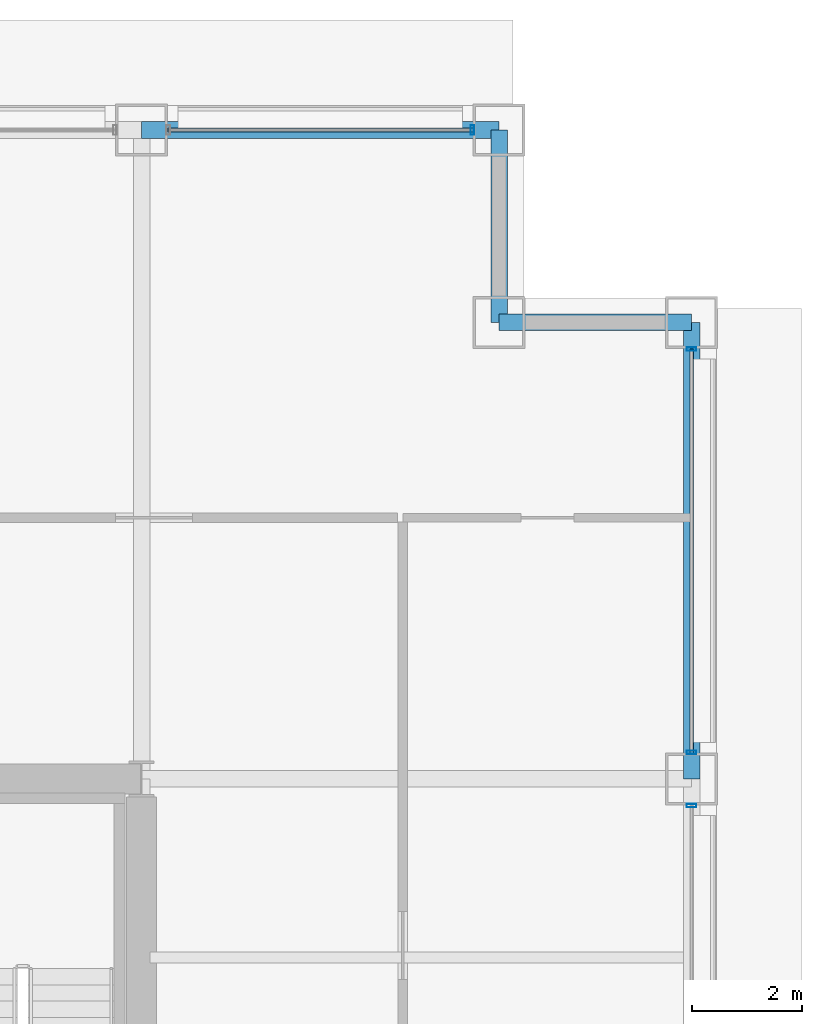
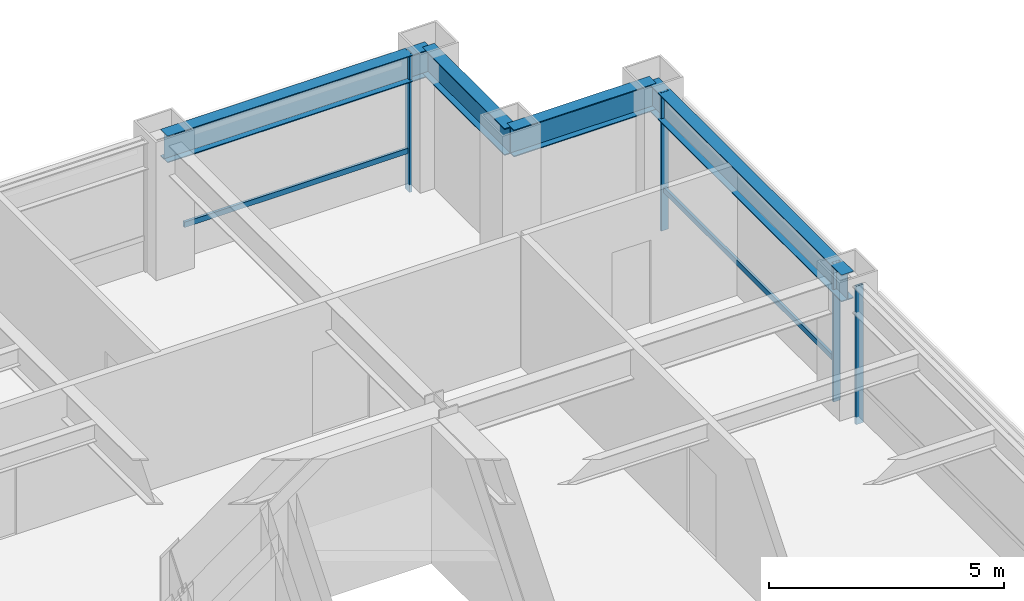
# One storey, part 22 of 28: 6 members, 4 beams, 3 elements without a shape of their own.
"""IFC4 building model written with IfcOpenShell, lengths in metres."""

from ifc_helpers import new_model, si_unit, direction, frame, origin, origin_2d, place, context, subcontext, project, spatial, hollow_rectangle, i_section, extrude, material, layer, layer_set, material_profile, profile_set, type_object, element, aggregate, save


model = new_model("IFC4")

# Units and contexts
model_context = context("Model", 3, precision=1e-05, world=origin(), true_north=direction((0.0, 1.0)))
body_context = subcontext(model_context, "Body", "Model", "MODEL_VIEW")
ifc_project = project(units=[si_unit("LENGTHUNIT", "METRE"), si_unit("AREAUNIT", "SQUARE_METRE"), si_unit("VOLUMEUNIT", "CUBIC_METRE"), si_unit("PLANEANGLEUNIT", "RADIAN"), si_unit("MASSUNIT", "GRAM", prefix="KILO")], contexts=[model_context])

# Site, building, storey
site_placement = place(None, origin())
site = spatial("IfcSite", under=ifc_project, at=site_placement, CompositionType="ELEMENT")
building_placement = place(site_placement, origin())
building = spatial("IfcBuilding", under=site, at=building_placement, Name="Brelmoor Portico Tower", CompositionType="ELEMENT")
storey_placement = place(building_placement, frame((0.0, 0.0, 49.199951171875)))
storey = spatial("IfcBuildingStorey", under=building, at=storey_placement, Name="L12", CompositionType="ELEMENT", Elevation=49.199951171875)

# Beams
ifc_material_1 = material(Name="Steel Q355B", Category="steel")
ifc_material_profile_1 = material_profile(ifc_material_1, i_section(OverallWidth=0.300048828125, OverallDepth=0.699951171875, WebThickness=0.012939453125, FlangeThickness=0.02392578125, at=origin_2d()), Name="HN 700x300x13x24")
ifc_profile_set_1 = profile_set([ifc_material_profile_1], Name="Steel Q355B")
beam_type = type_object("IfcBeamType", Name="BM-SP-700", PredefinedType="SPANDREL", material=ifc_profile_set_1)
beam_1_placement = place(storey_placement, frame((21.050048828125, 18.050048828125, 3.050048828125), z_axis=(1.0, 0.0, 0.0), x_axis=(0.0, 1.0, 0.0)))
element("IfcBeam", 1, at=beam_1_placement, inside=storey, type_object=beam_type, Name="L12 Perimeter Spandrel Beam SP-09", PredefinedType="SPANDREL", context=body_context, shape_type="SweptSolid", body=[
    extrude(i_section(OverallWidth=0.300048828125, OverallDepth=0.699951171875, WebThickness=0.012939453125, FlangeThickness=0.02392578125, at=origin_2d()), origin(), (0.0, 0.0, 1.0), 3.5),
])
beam_2_placement = place(storey_placement, frame((14.550048828125, 21.550048828125, 3.050048828125), z_axis=(1.0, 0.0, 0.0), x_axis=(0.0, 1.0, 0.0)))
element("IfcBeam", 2, at=beam_2_placement, inside=storey, type_object=beam_type, Name="L12 Perimeter Spandrel Beam SP-14", PredefinedType="SPANDREL", context=body_context, shape_type="SweptSolid", body=[
    extrude(i_section(OverallWidth=0.300048828125, OverallDepth=0.699951171875, WebThickness=0.012939453125, FlangeThickness=0.02392578125, at=origin_2d()), origin(), (0.0, 0.0, 1.0), 6.5),
])
beam_3_placement = place(storey_placement, frame((21.050048828125, 18.050048828125, 3.050048828125), z_axis=(0.0, 1.0, 0.0), x_axis=(-1.0, 0.0, 0.0)))
element("IfcBeam", 3, at=beam_3_placement, inside=storey, type_object=beam_type, Name="L12 Perimeter Spandrel Beam SP-21", PredefinedType="SPANDREL", context=body_context, shape_type="SweptSolid", body=[
    extrude(i_section(OverallWidth=0.300048828125, OverallDepth=0.699951171875, WebThickness=0.012939453125, FlangeThickness=0.02392578125, at=origin_2d()), origin(), (0.0, 0.0, 1.0), 3.5),
])
beam_4_placement = place(storey_placement, frame((24.550048828125, 9.75, 3.050048828125), z_axis=(0.0, 1.0, 0.0), x_axis=(-1.0, 0.0, 0.0)))
element("IfcBeam", 4, at=beam_4_placement, inside=storey, type_object=beam_type, Name="L12 Perimeter Spandrel Beam SP-24", PredefinedType="SPANDREL", context=body_context, shape_type="SweptSolid", body=[
    extrude(i_section(OverallWidth=0.300048828125, OverallDepth=0.699951171875, WebThickness=0.012939453125, FlangeThickness=0.02392578125, at=origin_2d()), origin(), (0.0, 0.0, 1.0), 8.300048828125),
])

# Curtain wall, member
ifc_material_2 = material(Name="Anodised Aluminium Alloy 6063-T6", Category="aluminium")
ifc_layer = layer(ifc_material_2, 0.179931640625)
ifc_layer_set = layer_set([ifc_layer], Name="Anodised Aluminium Alloy 6063-T6")
curtain_wall_type = type_object("IfcCurtainWallType", Name="CW-TOWER-Z1", PredefinedType="NOTDEFINED", material=ifc_layer_set)
curtain_wall_1_placement = place(storey_placement, origin())
curtain_wall_1 = element("IfcCurtainWall", 5, at=curtain_wall_1_placement, inside=storey, type_object=curtain_wall_type, Name="L12 Curtain Wall CW-L12-02-5", PredefinedType="NOTDEFINED")
ifc_material_profile_2 = material_profile(ifc_material_2, hollow_rectangle(XDim=0.06494140625, YDim=0.179931640625, WallThickness=0.00390625, at=origin_2d()), Name="ALU MULLION 65x180")
ifc_profile_set_2 = profile_set([ifc_material_profile_2], Name="Anodised Aluminium Alloy 6063-T6")
member_type_1 = type_object("IfcMemberType", Name="MB-CW-MULL-180", PredefinedType="MULLION", material=ifc_profile_set_2)
member_1_placement = place(storey_placement, frame((20.56494140625, 21.550048828125, -0.199951171875), z_axis=(0.0, 0.0, 1.0), x_axis=(1.0, 0.0, 0.0)))
member_1 = element("IfcMember", 6, at=member_1_placement, type_object=member_type_1, Name="CW-L12-02-5 Mullion 01", PredefinedType="MULLION", context=body_context, shape_type="SweptSolid", body=[
    extrude(hollow_rectangle(XDim=0.06494140625, YDim=0.179931640625, WallThickness=0.00390625, at=origin_2d()), origin(), (0.0, 0.0, 1.0), 3.60009765625),
])

curtain_wall_2_placement = place(storey_placement, origin())
curtain_wall_2 = element("IfcCurtainWall", 7, at=curtain_wall_2_placement, inside=storey, type_object=curtain_wall_type, Name="L12 Curtain Wall CW-L12-04-2", PredefinedType="NOTDEFINED")
member_2_placement = place(storey_placement, frame((24.550048828125, 9.264892578125, -0.199951171875), z_axis=(0.0, 0.0, 1.0), x_axis=(0.0, 1.0, 0.0)))
member_2 = element("IfcMember", 8, at=member_2_placement, type_object=member_type_1, Name="CW-L12-04-2 Mullion 02", PredefinedType="MULLION", context=body_context, shape_type="SweptSolid", body=[
    extrude(hollow_rectangle(XDim=0.06494140625, YDim=0.179931640625, WallThickness=0.00390625, at=origin_2d()), origin(), (0.0, 0.0, 1.0), 3.60009765625),
])
aggregate(curtain_wall_2, [member_2])

# Curtain wall, members
curtain_wall_3_placement = place(storey_placement, origin())
curtain_wall_3 = element("IfcCurtainWall", 9, at=curtain_wall_3_placement, inside=storey, type_object=curtain_wall_type, Name="L12 Curtain Wall CW-L12-04-3", PredefinedType="NOTDEFINED")
member_3_placement = place(storey_placement, frame((24.550048828125, 10.235107421875, -0.199951171875), z_axis=(0.0, 0.0, 1.0), x_axis=(0.0, 1.0, 0.0)))
member_3 = element("IfcMember", 10, at=member_3_placement, type_object=member_type_1, Name="CW-L12-04-3 Mullion 00", PredefinedType="MULLION", context=body_context, shape_type="SweptSolid", body=[
    extrude(hollow_rectangle(XDim=0.06494140625, YDim=0.179931640625, WallThickness=0.00390625, at=origin_2d()), origin(), (0.0, 0.0, 1.0), 3.60009765625),
])
member_4_placement = place(storey_placement, frame((24.550048828125, 17.56494140625, -0.199951171875), z_axis=(0.0, 0.0, 1.0), x_axis=(0.0, 1.0, 0.0)))
member_4 = element("IfcMember", 11, at=member_4_placement, type_object=member_type_1, Name="CW-L12-04-3 Mullion 01", PredefinedType="MULLION", context=body_context, shape_type="SweptSolid", body=[
    extrude(hollow_rectangle(XDim=0.06494140625, YDim=0.179931640625, WallThickness=0.00390625, at=origin_2d()), origin(), (0.0, 0.0, 1.0), 3.60009765625),
])

# Member
ifc_material_profile_3 = material_profile(ifc_material_2, hollow_rectangle(XDim=0.06494140625, YDim=0.139892578125, WallThickness=0.00390625, at=origin_2d()), Name="ALU TRANSOM 65x140")
ifc_profile_set_3 = profile_set([ifc_material_profile_3], Name="Anodised Aluminium Alloy 6063-T6")
member_type_2 = type_object("IfcMemberType", Name="MB-CW-TRAN-140", PredefinedType="USERDEFINED", material=ifc_profile_set_3)
member_5_placement = place(storey_placement, frame((15.034912109375, 21.550048828125, 0.85009765625), z_axis=(1.0, 0.0, 0.0), x_axis=(0.0, 1.0, 0.0)))
member_5 = element("IfcMember", 12, at=member_5_placement, type_object=member_type_2, Name="CW-L12-02-5 Transom 1-00", ObjectType="TRANSOM", PredefinedType="USERDEFINED", context=body_context, shape_type="SweptSolid", body=[
    extrude(hollow_rectangle(XDim=0.06494140625, YDim=0.139892578125, WallThickness=0.00390625, at=origin_2d()), origin(), (0.0, 0.0, 1.0), 5.530029296875),
])

aggregate(curtain_wall_1, [member_1, member_5])

member_6_placement = place(storey_placement, frame((24.550048828125, 10.235107421875, 0.85009765625), z_axis=(0.0, 1.0, 0.0), x_axis=(-1.0, 0.0, 0.0)))
member_6 = element("IfcMember", 13, at=member_6_placement, type_object=member_type_2, Name="CW-L12-04-3 Transom 1-00", ObjectType="TRANSOM", PredefinedType="USERDEFINED", context=body_context, shape_type="SweptSolid", body=[
    extrude(hollow_rectangle(XDim=0.06494140625, YDim=0.139892578125, WallThickness=0.00390625, at=origin_2d()), origin(), (0.0, 0.0, 1.0), 7.329833984375),
])

aggregate(curtain_wall_3, [member_3, member_4, member_6])

save(model, "model.ifc")
